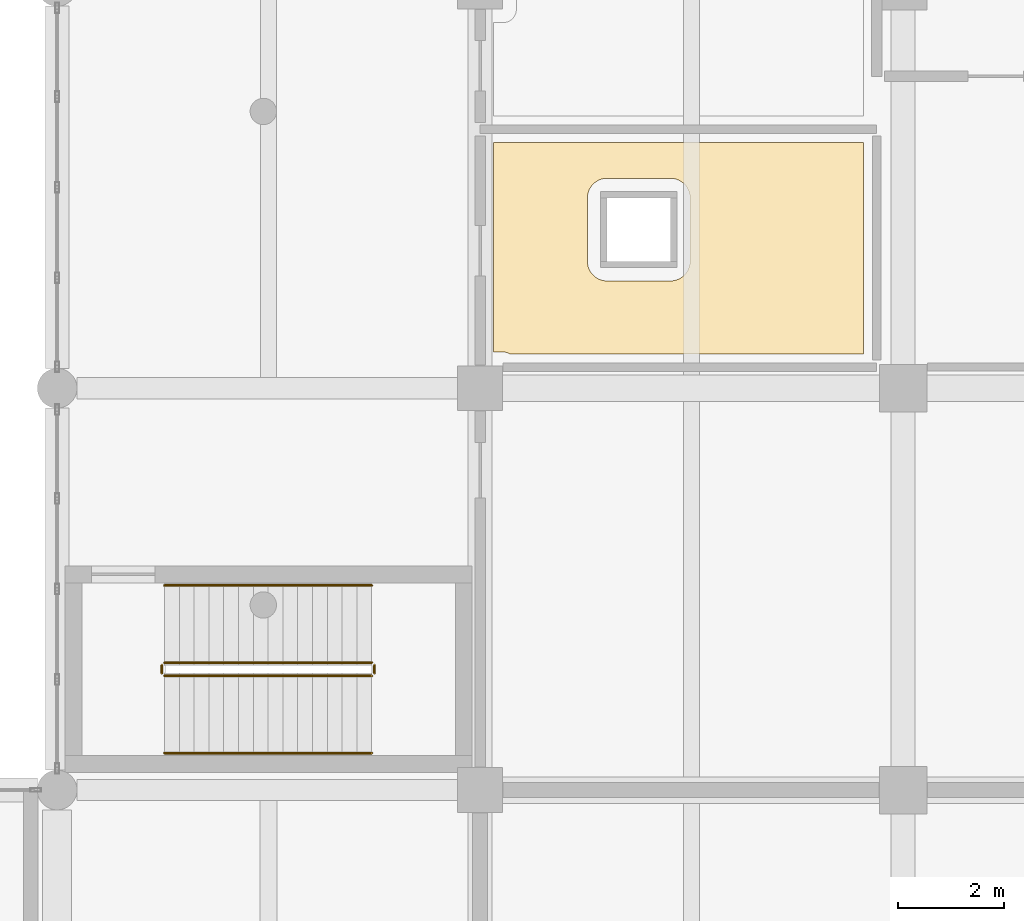
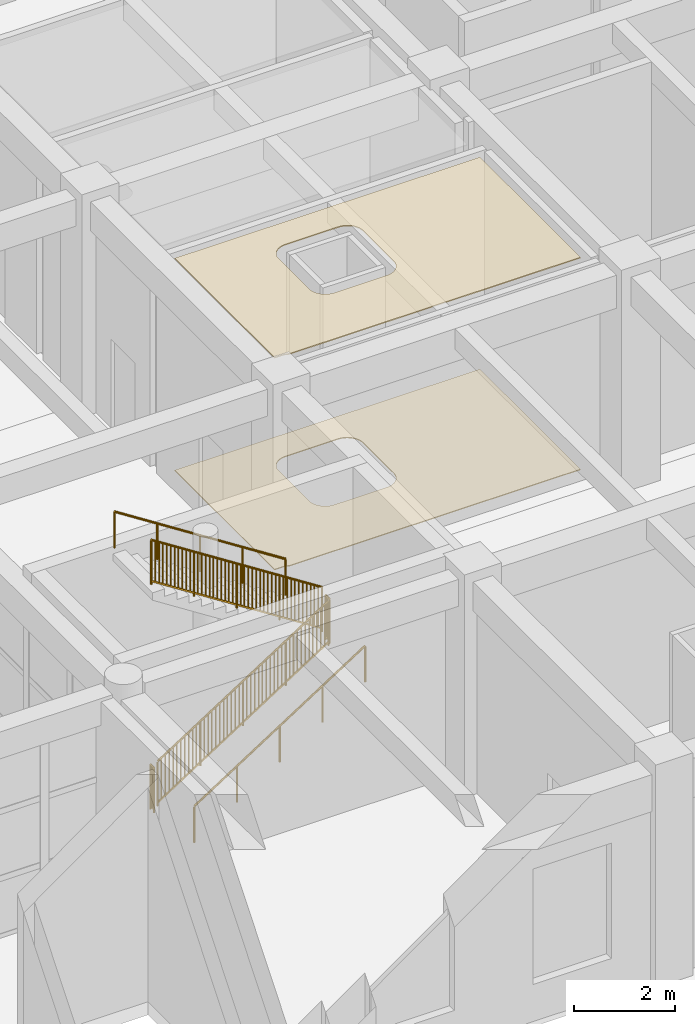
# One storey, part 87 of 95: 6 railings, 2 coverings.
"""IFC4 building model written with IfcOpenShell, lengths in metres."""

from ifc_helpers import new_model, si_unit, direction, frame, origin, origin_2d, place, context, subcontext, project, spatial, polyline, rectangle, circle, outline, extrude, material, layer, layer_set, type_object, element, save


model = new_model("IFC4")

# Units and contexts
model_context = context("Model", 3, precision=1e-05, world=origin(), true_north=direction((0.0, 1.0)))
body_context = subcontext(model_context, "Body", "Model", "MODEL_VIEW")
ifc_project = project(units=[si_unit("LENGTHUNIT", "METRE"), si_unit("AREAUNIT", "SQUARE_METRE"), si_unit("VOLUMEUNIT", "CUBIC_METRE"), si_unit("PLANEANGLEUNIT", "RADIAN"), si_unit("MASSUNIT", "GRAM", prefix="KILO")], contexts=[model_context])

# Site, building, storey
site_placement = place(None, origin())
site = spatial("IfcSite", under=ifc_project, at=site_placement, CompositionType="ELEMENT")
building_placement = place(site_placement, origin())
building = spatial("IfcBuilding", under=site, at=building_placement, Name="Zantavel Square City Hall", CompositionType="ELEMENT")
storey_placement = place(building_placement, origin())
storey = spatial("IfcBuildingStorey", under=building, at=storey_placement, Name="L01", CompositionType="ELEMENT", Elevation=0.0)

# Railings
ifc_material_1 = material(Name="Steel ASTM A500 Grade B", Category="steel")
railing_type_1 = type_object("IfcRailingType", Name="Atrium & Gallery Steel Guard Railing 1100mm", PredefinedType="GUARDRAIL", material=ifc_material_1)
railing_1_placement = place(storey_placement, frame((50.030029296875, 40.159912109375, 0.179931640625)))
element("IfcRailing", 1, at=railing_1_placement, inside=storey, type_object=railing_type_1, Name="L01 ST3 stair guard 1", PredefinedType="GUARDRAIL", context=body_context, shape_type="SweptSolid", body=[
    extrude(circle(Radius=0.02392578125, at=origin_2d()), frame((0.0, 0.0, 1.076171875), z_axis=(0.841171666519, 0.0, 0.540768182723), x_axis=(0.0, 1.0, 0.0)), (0.0, 0.0, 1.0), 4.66015625),
    extrude(rectangle(XDim=0.031982421875, YDim=0.031982421875, at=origin_2d()), frame((0.0, 0.0, 0.080078125), z_axis=(0.841171666519, 0.0, 0.540768182723), x_axis=(0.0, 1.0, 0.0)), (0.0, 0.0, 1.0), 4.66015625),
    extrude(rectangle(XDim=0.02197265625, YDim=0.02197265625, at=origin_2d()), frame((0.089111328125, 0.0, 0.13720703125)), (0.0, 0.0, 1.0), 0.971923828125),
    extrude(rectangle(XDim=0.02197265625, YDim=0.02197265625, at=origin_2d()), frame((0.17822265625, 0.0, 0.194580078125)), (0.0, 0.0, 1.0), 0.971923828125),
    extrude(rectangle(XDim=0.02197265625, YDim=0.02197265625, at=origin_2d()), frame((0.267333984375, 0.0, 0.251708984375)), (0.0, 0.0, 1.0), 0.971923828125),
    extrude(rectangle(XDim=0.02197265625, YDim=0.02197265625, at=origin_2d()), frame((0.3564453125, 0.0, 0.30908203125)), (0.0, 0.0, 1.0), 0.971923828125),
    extrude(rectangle(XDim=0.02197265625, YDim=0.02197265625, at=origin_2d()), frame((0.445556640625, 0.0, 0.366455078125)), (0.0, 0.0, 1.0), 0.971923828125),
    extrude(rectangle(XDim=0.02197265625, YDim=0.02197265625, at=origin_2d()), frame((0.534423828125, 0.0, 0.423583984375)), (0.0, 0.0, 1.0), 0.971923828125),
    extrude(rectangle(XDim=0.02197265625, YDim=0.02197265625, at=origin_2d()), frame((0.62353515625, 0.0, 0.48095703125)), (0.0, 0.0, 1.0), 0.971923828125),
    extrude(rectangle(XDim=0.02197265625, YDim=0.02197265625, at=origin_2d()), frame((0.712646484375, 0.0, 0.5380859375)), (0.0, 0.0, 1.0), 0.971923828125),
    extrude(rectangle(XDim=0.02197265625, YDim=0.02197265625, at=origin_2d()), frame((0.8017578125, 0.0, 0.595458984375)), (0.0, 0.0, 1.0), 0.971923828125),
    extrude(rectangle(XDim=0.02197265625, YDim=0.02197265625, at=origin_2d()), frame((0.890869140625, 0.0, 0.65283203125)), (0.0, 0.0, 1.0), 0.971923828125),
    extrude(rectangle(XDim=0.02197265625, YDim=0.02197265625, at=origin_2d()), frame((1.069091796875, 0.0, 0.767333984375)), (0.0, 0.0, 1.0), 0.971923828125),
    extrude(rectangle(XDim=0.02197265625, YDim=0.02197265625, at=origin_2d()), frame((1.158203125, 0.0, 0.824462890625)), (0.0, 0.0, 1.0), 0.971923828125),
    extrude(rectangle(XDim=0.02197265625, YDim=0.02197265625, at=origin_2d()), frame((1.247314453125, 0.0, 0.8818359375)), (0.0, 0.0, 1.0), 0.971923828125),
    extrude(rectangle(XDim=0.02197265625, YDim=0.02197265625, at=origin_2d()), frame((1.33642578125, 0.0, 0.939208984375)), (0.0, 0.0, 1.0), 0.971923828125),
    extrude(rectangle(XDim=0.02197265625, YDim=0.02197265625, at=origin_2d()), frame((1.425537109375, 0.0, 0.996337890625)), (0.0, 0.0, 1.0), 0.971923828125),
    extrude(rectangle(XDim=0.02197265625, YDim=0.02197265625, at=origin_2d()), frame((1.514404296875, 0.0, 1.0537109375)), (0.0, 0.0, 1.0), 0.971923828125),
    extrude(rectangle(XDim=0.02197265625, YDim=0.02197265625, at=origin_2d()), frame((1.603515625, 0.0, 1.11083984375)), (0.0, 0.0, 1.0), 0.971923828125),
    extrude(rectangle(XDim=0.02197265625, YDim=0.02197265625, at=origin_2d()), frame((1.692626953125, 0.0, 1.168212890625)), (0.0, 0.0, 1.0), 0.971923828125),
    extrude(rectangle(XDim=0.02197265625, YDim=0.02197265625, at=origin_2d()), frame((1.78173828125, 0.0, 1.225341796875)), (0.0, 0.0, 1.0), 0.971923828125),
    extrude(rectangle(XDim=0.02197265625, YDim=0.02197265625, at=origin_2d()), frame((1.870849609375, 0.0, 1.28271484375)), (0.0, 0.0, 1.0), 0.971923828125),
    extrude(rectangle(XDim=0.02197265625, YDim=0.02197265625, at=origin_2d()), frame((2.049072265625, 0.0, 1.397216796875)), (0.0, 0.0, 1.0), 0.971923828125),
    extrude(rectangle(XDim=0.02197265625, YDim=0.02197265625, at=origin_2d()), frame((2.13818359375, 0.0, 1.45458984375)), (0.0, 0.0, 1.0), 0.971923828125),
    extrude(rectangle(XDim=0.02197265625, YDim=0.02197265625, at=origin_2d()), frame((2.227294921875, 0.0, 1.51171875)), (0.0, 0.0, 1.0), 0.971923828125),
    extrude(rectangle(XDim=0.02197265625, YDim=0.02197265625, at=origin_2d()), frame((2.31640625, 0.0, 1.569091796875)), (0.0, 0.0, 1.0), 0.971923828125),
    extrude(rectangle(XDim=0.02197265625, YDim=0.02197265625, at=origin_2d()), frame((2.405517578125, 0.0, 1.62646484375)), (0.0, 0.0, 1.0), 0.971923828125),
    extrude(rectangle(XDim=0.02197265625, YDim=0.02197265625, at=origin_2d()), frame((2.494384765625, 0.0, 1.68359375)), (0.0, 0.0, 1.0), 0.971923828125),
    extrude(rectangle(XDim=0.02197265625, YDim=0.02197265625, at=origin_2d()), frame((2.58349609375, 0.0, 1.740966796875)), (0.0, 0.0, 1.0), 0.971923828125),
    extrude(rectangle(XDim=0.02197265625, YDim=0.02197265625, at=origin_2d()), frame((2.672607421875, 0.0, 1.798095703125)), (0.0, 0.0, 1.0), 0.971923828125),
    extrude(rectangle(XDim=0.02197265625, YDim=0.02197265625, at=origin_2d()), frame((2.76171875, 0.0, 1.85546875)), (0.0, 0.0, 1.0), 0.971923828125),
    extrude(rectangle(XDim=0.02197265625, YDim=0.02197265625, at=origin_2d()), frame((2.850830078125, 0.0, 1.912841796875)), (0.0, 0.0, 1.0), 0.971923828125),
    extrude(rectangle(XDim=0.02197265625, YDim=0.02197265625, at=origin_2d()), frame((3.029052734375, 0.0, 2.02734375)), (0.0, 0.0, 1.0), 0.971923828125),
    extrude(rectangle(XDim=0.02197265625, YDim=0.02197265625, at=origin_2d()), frame((3.1181640625, 0.0, 2.08447265625)), (0.0, 0.0, 1.0), 0.971923828125),
    extrude(rectangle(XDim=0.02197265625, YDim=0.02197265625, at=origin_2d()), frame((3.207275390625, 0.0, 2.141845703125)), (0.0, 0.0, 1.0), 0.971923828125),
    extrude(rectangle(XDim=0.02197265625, YDim=0.02197265625, at=origin_2d()), frame((3.29638671875, 0.0, 2.19921875)), (0.0, 0.0, 1.0), 0.971923828125),
    extrude(rectangle(XDim=0.02197265625, YDim=0.02197265625, at=origin_2d()), frame((3.385498046875, 0.0, 2.25634765625)), (0.0, 0.0, 1.0), 0.971923828125),
    extrude(rectangle(XDim=0.02197265625, YDim=0.02197265625, at=origin_2d()), frame((3.474365234375, 0.0, 2.313720703125)), (0.0, 0.0, 1.0), 0.971923828125),
    extrude(rectangle(XDim=0.02197265625, YDim=0.02197265625, at=origin_2d()), frame((3.5634765625, 0.0, 2.370849609375)), (0.0, 0.0, 1.0), 0.971923828125),
    extrude(rectangle(XDim=0.02197265625, YDim=0.02197265625, at=origin_2d()), frame((3.652587890625, 0.0, 2.42822265625)), (0.0, 0.0, 1.0), 0.971923828125),
    extrude(rectangle(XDim=0.02197265625, YDim=0.02197265625, at=origin_2d()), frame((3.74169921875, 0.0, 2.4853515625)), (0.0, 0.0, 1.0), 0.971923828125),
    extrude(rectangle(XDim=0.02197265625, YDim=0.02197265625, at=origin_2d()), frame((3.830810546875, 0.0, 2.542724609375)), (0.0, 0.0, 1.0), 0.971923828125),
    extrude(circle(Radius=0.02099609375, at=origin_2d()), origin(), (0.0, 0.0, 1.0), 1.052001953125),
    extrude(circle(Radius=0.02099609375, at=origin_2d()), frame((0.97998046875, 0.0, 0.6298828125)), (0.0, 0.0, 1.0), 1.052001953125),
    extrude(circle(Radius=0.02099609375, at=origin_2d()), frame((1.9599609375, 0.0, 1.260009765625)), (0.0, 0.0, 1.0), 1.052001953125),
    extrude(circle(Radius=0.02099609375, at=origin_2d()), frame((2.93994140625, 0.0, 1.89013671875)), (0.0, 0.0, 1.0), 1.052001953125),
    extrude(circle(Radius=0.02099609375, at=origin_2d()), frame((3.919921875, 0.0, 2.52001953125)), (0.0, 0.0, 1.0), 1.052001953125),
])
railing_2_placement = place(storey_placement, frame((54.0, 40.2099609375, 2.699951171875)))
element("IfcRailing", 2, at=railing_2_placement, inside=storey, type_object=railing_type_1, Name="L01 ST3 stair guard 2", PredefinedType="GUARDRAIL", context=body_context, shape_type="SweptSolid", body=[
    extrude(circle(Radius=0.02392578125, at=origin_2d()), frame((0.0, 0.0, 1.076171875), z_axis=(0.0, 1.0, 0.0), x_axis=(-1.0, 0.0, 0.0)), (0.0, 0.0, 1.0), 0.150146484375),
    extrude(rectangle(XDim=0.031982421875, YDim=0.031982421875, at=origin_2d()), frame((0.0, 0.0, 0.080078125), z_axis=(0.0, 1.0, 0.0), x_axis=(-1.0, 0.0, 0.0)), (0.0, 0.0, 1.0), 0.150146484375),
    extrude(rectangle(XDim=0.02197265625, YDim=0.02197265625, at=origin_2d()), frame((0.0, 0.0751953125, 0.080078125)), (0.0, 0.0, 1.0), 0.971923828125),
    extrude(circle(Radius=0.02099609375, at=origin_2d()), origin(), (0.0, 0.0, 1.0), 1.052001953125),
    extrude(circle(Radius=0.02099609375, at=origin_2d()), frame((0.0, 0.150146484375, 0.0)), (0.0, 0.0, 1.0), 1.052001953125),
])
railing_3_placement = place(storey_placement, frame((53.949951171875, 40.409912109375, 2.8798828125)))
element("IfcRailing", 3, at=railing_3_placement, inside=storey, type_object=railing_type_1, Name="L01 ST3 stair guard 3", PredefinedType="GUARDRAIL", context=body_context, shape_type="SweptSolid", body=[
    extrude(circle(Radius=0.02392578125, at=origin_2d()), frame((0.0, 0.0, 1.076171875), z_axis=(-0.841171666519, 0.0, 0.540768182723), x_axis=(0.0, -1.0, 0.0)), (0.0, 0.0, 1.0), 4.66015625),
    extrude(rectangle(XDim=0.031982421875, YDim=0.031982421875, at=origin_2d()), frame((0.0, 0.0, 0.080078125), z_axis=(-0.841171666519, 0.0, 0.540768182723), x_axis=(0.0, -1.0, 0.0)), (0.0, 0.0, 1.0), 4.66015625),
    extrude(rectangle(XDim=0.02197265625, YDim=0.02197265625, at=origin_2d()), frame((-0.089111328125, 0.0, 0.13720703125)), (0.0, 0.0, 1.0), 0.971923828125),
    extrude(rectangle(XDim=0.02197265625, YDim=0.02197265625, at=origin_2d()), frame((-0.17822265625, 0.0, 0.194580078125)), (0.0, 0.0, 1.0), 0.971923828125),
    extrude(rectangle(XDim=0.02197265625, YDim=0.02197265625, at=origin_2d()), frame((-0.267333984375, 0.0, 0.251708984375)), (0.0, 0.0, 1.0), 0.971923828125),
    extrude(rectangle(XDim=0.02197265625, YDim=0.02197265625, at=origin_2d()), frame((-0.3564453125, 0.0, 0.30908203125)), (0.0, 0.0, 1.0), 0.971923828125),
    extrude(rectangle(XDim=0.02197265625, YDim=0.02197265625, at=origin_2d()), frame((-0.445556640625, 0.0, 0.366455078125)), (0.0, 0.0, 1.0), 0.971923828125),
    extrude(rectangle(XDim=0.02197265625, YDim=0.02197265625, at=origin_2d()), frame((-0.534423828125, 0.0, 0.423583984375)), (0.0, 0.0, 1.0), 0.971923828125),
    extrude(rectangle(XDim=0.02197265625, YDim=0.02197265625, at=origin_2d()), frame((-0.62353515625, 0.0, 0.48095703125)), (0.0, 0.0, 1.0), 0.971923828125),
    extrude(rectangle(XDim=0.02197265625, YDim=0.02197265625, at=origin_2d()), frame((-0.712646484375, 0.0, 0.5380859375)), (0.0, 0.0, 1.0), 0.971923828125),
    extrude(rectangle(XDim=0.02197265625, YDim=0.02197265625, at=origin_2d()), frame((-0.8017578125, 0.0, 0.595458984375)), (0.0, 0.0, 1.0), 0.971923828125),
    extrude(rectangle(XDim=0.02197265625, YDim=0.02197265625, at=origin_2d()), frame((-0.890869140625, 0.0, 0.65283203125)), (0.0, 0.0, 1.0), 0.971923828125),
    extrude(rectangle(XDim=0.02197265625, YDim=0.02197265625, at=origin_2d()), frame((-1.069091796875, 0.0, 0.767333984375)), (0.0, 0.0, 1.0), 0.971923828125),
    extrude(rectangle(XDim=0.02197265625, YDim=0.02197265625, at=origin_2d()), frame((-1.158203125, 0.0, 0.824462890625)), (0.0, 0.0, 1.0), 0.971923828125),
    extrude(rectangle(XDim=0.02197265625, YDim=0.02197265625, at=origin_2d()), frame((-1.247314453125, 0.0, 0.8818359375)), (0.0, 0.0, 1.0), 0.971923828125),
    extrude(rectangle(XDim=0.02197265625, YDim=0.02197265625, at=origin_2d()), frame((-1.33642578125, 0.0, 0.939208984375)), (0.0, 0.0, 1.0), 0.971923828125),
    extrude(rectangle(XDim=0.02197265625, YDim=0.02197265625, at=origin_2d()), frame((-1.425537109375, 0.0, 0.996337890625)), (0.0, 0.0, 1.0), 0.971923828125),
    extrude(rectangle(XDim=0.02197265625, YDim=0.02197265625, at=origin_2d()), frame((-1.514404296875, 0.0, 1.0537109375)), (0.0, 0.0, 1.0), 0.971923828125),
    extrude(rectangle(XDim=0.02197265625, YDim=0.02197265625, at=origin_2d()), frame((-1.603515625, 0.0, 1.11083984375)), (0.0, 0.0, 1.0), 0.971923828125),
    extrude(rectangle(XDim=0.02197265625, YDim=0.02197265625, at=origin_2d()), frame((-1.692626953125, 0.0, 1.168212890625)), (0.0, 0.0, 1.0), 0.971923828125),
    extrude(rectangle(XDim=0.02197265625, YDim=0.02197265625, at=origin_2d()), frame((-1.78173828125, 0.0, 1.225341796875)), (0.0, 0.0, 1.0), 0.971923828125),
    extrude(rectangle(XDim=0.02197265625, YDim=0.02197265625, at=origin_2d()), frame((-1.870849609375, 0.0, 1.28271484375)), (0.0, 0.0, 1.0), 0.971923828125),
    extrude(rectangle(XDim=0.02197265625, YDim=0.02197265625, at=origin_2d()), frame((-2.049072265625, 0.0, 1.397216796875)), (0.0, 0.0, 1.0), 0.971923828125),
    extrude(rectangle(XDim=0.02197265625, YDim=0.02197265625, at=origin_2d()), frame((-2.13818359375, 0.0, 1.45458984375)), (0.0, 0.0, 1.0), 0.971923828125),
    extrude(rectangle(XDim=0.02197265625, YDim=0.02197265625, at=origin_2d()), frame((-2.227294921875, 0.0, 1.51171875)), (0.0, 0.0, 1.0), 0.971923828125),
    extrude(rectangle(XDim=0.02197265625, YDim=0.02197265625, at=origin_2d()), frame((-2.31640625, 0.0, 1.569091796875)), (0.0, 0.0, 1.0), 0.971923828125),
    extrude(rectangle(XDim=0.02197265625, YDim=0.02197265625, at=origin_2d()), frame((-2.405517578125, 0.0, 1.62646484375)), (0.0, 0.0, 1.0), 0.971923828125),
    extrude(rectangle(XDim=0.02197265625, YDim=0.02197265625, at=origin_2d()), frame((-2.494384765625, 0.0, 1.68359375)), (0.0, 0.0, 1.0), 0.971923828125),
    extrude(rectangle(XDim=0.02197265625, YDim=0.02197265625, at=origin_2d()), frame((-2.58349609375, 0.0, 1.740966796875)), (0.0, 0.0, 1.0), 0.971923828125),
    extrude(rectangle(XDim=0.02197265625, YDim=0.02197265625, at=origin_2d()), frame((-2.672607421875, 0.0, 1.798095703125)), (0.0, 0.0, 1.0), 0.971923828125),
    extrude(rectangle(XDim=0.02197265625, YDim=0.02197265625, at=origin_2d()), frame((-2.76171875, 0.0, 1.85546875)), (0.0, 0.0, 1.0), 0.971923828125),
    extrude(rectangle(XDim=0.02197265625, YDim=0.02197265625, at=origin_2d()), frame((-2.850830078125, 0.0, 1.912841796875)), (0.0, 0.0, 1.0), 0.971923828125),
    extrude(rectangle(XDim=0.02197265625, YDim=0.02197265625, at=origin_2d()), frame((-3.029052734375, 0.0, 2.02734375)), (0.0, 0.0, 1.0), 0.971923828125),
    extrude(rectangle(XDim=0.02197265625, YDim=0.02197265625, at=origin_2d()), frame((-3.1181640625, 0.0, 2.08447265625)), (0.0, 0.0, 1.0), 0.971923828125),
    extrude(rectangle(XDim=0.02197265625, YDim=0.02197265625, at=origin_2d()), frame((-3.207275390625, 0.0, 2.141845703125)), (0.0, 0.0, 1.0), 0.971923828125),
    extrude(rectangle(XDim=0.02197265625, YDim=0.02197265625, at=origin_2d()), frame((-3.29638671875, 0.0, 2.19921875)), (0.0, 0.0, 1.0), 0.971923828125),
    extrude(rectangle(XDim=0.02197265625, YDim=0.02197265625, at=origin_2d()), frame((-3.385498046875, 0.0, 2.25634765625)), (0.0, 0.0, 1.0), 0.971923828125),
    extrude(rectangle(XDim=0.02197265625, YDim=0.02197265625, at=origin_2d()), frame((-3.474365234375, 0.0, 2.313720703125)), (0.0, 0.0, 1.0), 0.971923828125),
    extrude(rectangle(XDim=0.02197265625, YDim=0.02197265625, at=origin_2d()), frame((-3.5634765625, 0.0, 2.370849609375)), (0.0, 0.0, 1.0), 0.971923828125),
    extrude(rectangle(XDim=0.02197265625, YDim=0.02197265625, at=origin_2d()), frame((-3.652587890625, 0.0, 2.42822265625)), (0.0, 0.0, 1.0), 0.971923828125),
    extrude(rectangle(XDim=0.02197265625, YDim=0.02197265625, at=origin_2d()), frame((-3.74169921875, 0.0, 2.4853515625)), (0.0, 0.0, 1.0), 0.971923828125),
    extrude(rectangle(XDim=0.02197265625, YDim=0.02197265625, at=origin_2d()), frame((-3.830810546875, 0.0, 2.542724609375)), (0.0, 0.0, 1.0), 0.971923828125),
    extrude(circle(Radius=0.02099609375, at=origin_2d()), origin(), (0.0, 0.0, 1.0), 1.052001953125),
    extrude(circle(Radius=0.02099609375, at=origin_2d()), frame((-0.97998046875, 0.0, 0.6298828125)), (0.0, 0.0, 1.0), 1.052001953125),
    extrude(circle(Radius=0.02099609375, at=origin_2d()), frame((-1.9599609375, 0.0, 1.260009765625)), (0.0, 0.0, 1.0), 1.052001953125),
    extrude(circle(Radius=0.02099609375, at=origin_2d()), frame((-2.93994140625, 0.0, 1.89013671875)), (0.0, 0.0, 1.0), 1.052001953125),
    extrude(circle(Radius=0.02099609375, at=origin_2d()), frame((-3.919921875, 0.0, 2.52001953125)), (0.0, 0.0, 1.0), 1.052001953125),
])
railing_4_placement = place(storey_placement, frame((49.97998046875, 40.2099609375, 0.0)))
element("IfcRailing", 4, at=railing_4_placement, inside=storey, type_object=railing_type_1, Name="L01 ST3 stair guard 4", PredefinedType="GUARDRAIL", context=body_context, shape_type="SweptSolid", body=[
    extrude(circle(Radius=0.02392578125, at=origin_2d()), frame((0.0, 0.0, 1.076171875), z_axis=(0.0, 1.0, 0.0), x_axis=(-1.0, 0.0, 0.0)), (0.0, 0.0, 1.0), 0.150146484375),
    extrude(rectangle(XDim=0.031982421875, YDim=0.031982421875, at=origin_2d()), frame((0.0, 0.0, 0.080078125), z_axis=(0.0, 1.0, 0.0), x_axis=(-1.0, 0.0, 0.0)), (0.0, 0.0, 1.0), 0.150146484375),
    extrude(rectangle(XDim=0.02197265625, YDim=0.02197265625, at=origin_2d()), frame((0.0, 0.0751953125, 0.080078125)), (0.0, 0.0, 1.0), 0.971923828125),
    extrude(circle(Radius=0.02099609375, at=origin_2d()), origin(), (0.0, 0.0, 1.0), 1.052001953125),
    extrude(circle(Radius=0.02099609375, at=origin_2d()), frame((0.0, 0.150146484375, 0.0)), (0.0, 0.0, 1.0), 1.052001953125),
])

# Coverings
ifc_material_2 = material(Name="Terrazzo stone finish", Category="masonry")
ifc_layer_1 = layer(ifc_material_2, 0.02001953125, Name="Terrazzo stone finish")
ifc_layer_set_1 = layer_set([ifc_layer_1], Name="Terrazzo stone finish")
covering_type_1 = type_object("IfcCoveringType", Name="Honed Cantera-Terrazzo Civic Flooring 20mm", PredefinedType="FLOORING", material=ifc_layer_set_1)
covering_1_placement = place(storey_placement, origin())
element("IfcCovering", 5, at=covering_1_placement, inside=storey, type_object=covering_type_1, Name="L01 L01 West Mens Restroom Terrazzo Flooring", PredefinedType="FLOORING", context=body_context, shape_type="SweptSolid", body=[
    extrude(outline(polyline([(56.53076171875, 46.26611328125), (56.507568359375, 46.274169921875), (56.48388671875, 46.2802734375), (56.45947265625, 46.28369140625), (56.43505859375, 46.284912109375), (56.25, 46.284912109375), (56.25, 50.25), (63.25, 50.25), (63.25, 46.25), (56.56201171875, 46.25), (56.552734375, 46.255615234375), (56.53076171875, 46.26611328125)]), holes=[polyline([(58.031005859375, 47.97607421875), (58.033203125, 47.95166015625), (58.034912109375, 47.93994140625), (58.039794921875, 47.915771484375), (58.042724609375, 47.904296875), (58.0498046875, 47.880859375), (58.0537109375, 47.869873046875), (58.06298828125, 47.84716796875), (58.068115234375, 47.83642578125), (58.07958984375, 47.81494140625), (58.085693359375, 47.8046875), (58.099365234375, 47.784423828125), (58.1064453125, 47.77490234375), (58.1220703125, 47.756103515625), (58.1298828125, 47.747314453125), (58.147216796875, 47.72998046875), (58.156005859375, 47.721923828125), (58.1748046875, 47.706298828125), (58.184326171875, 47.699462890625), (58.204833984375, 47.685791015625), (58.21484375, 47.6796875), (58.236572265625, 47.668212890625), (58.247314453125, 47.6630859375), (58.27001953125, 47.65380859375), (58.281005859375, 47.64990234375), (58.304443359375, 47.642578125), (58.31591796875, 47.639892578125), (58.33984375, 47.635009765625), (58.3515625, 47.63330078125), (58.3759765625, 47.630859375), (58.3876953125, 47.63037109375), (58.39990234375, 47.6298828125), (59.60009765625, 47.6298828125), (59.6123046875, 47.63037109375), (59.6240234375, 47.630859375), (59.6484375, 47.63330078125), (59.66015625, 47.635009765625), (59.68408203125, 47.639892578125), (59.695556640625, 47.642578125), (59.718994140625, 47.64990234375), (59.72998046875, 47.65380859375), (59.752685546875, 47.6630859375), (59.763427734375, 47.668212890625), (59.78515625, 47.6796875), (59.795166015625, 47.685791015625), (59.815673828125, 47.699462890625), (59.8251953125, 47.706298828125), (59.843994140625, 47.721923828125), (59.852783203125, 47.72998046875), (59.8701171875, 47.747314453125), (59.8779296875, 47.756103515625), (59.8935546875, 47.77490234375), (59.900634765625, 47.784423828125), (59.914306640625, 47.8046875), (59.92041015625, 47.81494140625), (59.931884765625, 47.83642578125), (59.93701171875, 47.84716796875), (59.9462890625, 47.869873046875), (59.9501953125, 47.880859375), (59.957275390625, 47.904296875), (59.960205078125, 47.915771484375), (59.965087890625, 47.93994140625), (59.966796875, 47.95166015625), (59.968994140625, 47.97607421875), (59.9697265625, 47.98779296875), (59.969970703125, 48.0), (59.969970703125, 49.199951171875), (59.9697265625, 49.21240234375), (59.968994140625, 49.22412109375), (59.966796875, 49.248291015625), (59.965087890625, 49.260009765625), (59.960205078125, 49.2841796875), (59.957275390625, 49.295654296875), (59.9501953125, 49.319091796875), (59.9462890625, 49.330078125), (59.93701171875, 49.352783203125), (59.931884765625, 49.363525390625), (59.92041015625, 49.385009765625), (59.914306640625, 49.395263671875), (59.900634765625, 49.41552734375), (59.8935546875, 49.425048828125), (59.8779296875, 49.444091796875), (59.8701171875, 49.45263671875), (59.852783203125, 49.47021484375), (59.843994140625, 49.47802734375), (59.8251953125, 49.49365234375), (59.815673828125, 49.50048828125), (59.795166015625, 49.51416015625), (59.78515625, 49.520263671875), (59.763427734375, 49.53173828125), (59.752685546875, 49.536865234375), (59.72998046875, 49.54638671875), (59.718994140625, 49.55029296875), (59.695556640625, 49.557373046875), (59.68408203125, 49.560302734375), (59.66015625, 49.56494140625), (59.6484375, 49.566650390625), (59.6240234375, 49.569091796875), (59.6123046875, 49.569580078125), (59.60009765625, 49.570068359375), (58.39990234375, 49.570068359375), (58.3876953125, 49.569580078125), (58.3759765625, 49.569091796875), (58.3515625, 49.566650390625), (58.33984375, 49.56494140625), (58.31591796875, 49.560302734375), (58.304443359375, 49.557373046875), (58.281005859375, 49.55029296875), (58.27001953125, 49.54638671875), (58.247314453125, 49.536865234375), (58.236572265625, 49.53173828125), (58.21484375, 49.520263671875), (58.204833984375, 49.51416015625), (58.184326171875, 49.50048828125), (58.1748046875, 49.49365234375), (58.156005859375, 49.47802734375), (58.147216796875, 49.47021484375), (58.1298828125, 49.45263671875), (58.1220703125, 49.444091796875), (58.1064453125, 49.425048828125), (58.099365234375, 49.41552734375), (58.085693359375, 49.395263671875), (58.07958984375, 49.385009765625), (58.068115234375, 49.363525390625), (58.06298828125, 49.352783203125), (58.0537109375, 49.330078125), (58.0498046875, 49.319091796875), (58.042724609375, 49.295654296875), (58.039794921875, 49.2841796875), (58.034912109375, 49.260009765625), (58.033203125, 49.248291015625), (58.031005859375, 49.22412109375), (58.0302734375, 49.21240234375), (58.030029296875, 49.199951171875), (58.030029296875, 48.0), (58.0302734375, 47.98779296875), (58.031005859375, 47.97607421875)])]), origin(), (0.0, 0.0, 1.0), 0.02001953125),
])
ifc_material_3 = material(Name="Gypsum acoustic stud assembly", Category="masonry")
ifc_layer_2 = layer(ifc_material_3, 0.02490234375, Name="Gypsum acoustic stud assembly")
ifc_layer_set_2 = layer_set([ifc_layer_2], Name="Gypsum acoustic stud assembly")
covering_type_2 = type_object("IfcCoveringType", Name="Perforated Gypsum Acoustic Ceiling 25mm", PredefinedType="CEILING", material=ifc_layer_set_2)
covering_2_placement = place(storey_placement, frame((0.0, 0.0, 5.135009765625)))
element("IfcCovering", 6, at=covering_2_placement, inside=storey, type_object=covering_type_2, Name="L01 L01 West Mens Restroom Acoustic Ceiling", PredefinedType="CEILING", context=body_context, shape_type="SweptSolid", body=[
    extrude(outline(polyline([(56.53076171875, 46.26611328125), (56.507568359375, 46.274169921875), (56.48388671875, 46.2802734375), (56.45947265625, 46.28369140625), (56.43505859375, 46.284912109375), (56.25, 46.284912109375), (56.25, 50.25), (63.25, 50.25), (63.25, 46.25), (56.56201171875, 46.25), (56.552734375, 46.255615234375), (56.53076171875, 46.26611328125)]), holes=[polyline([(58.031005859375, 47.97607421875), (58.033203125, 47.95166015625), (58.034912109375, 47.93994140625), (58.039794921875, 47.915771484375), (58.042724609375, 47.904296875), (58.0498046875, 47.880859375), (58.0537109375, 47.869873046875), (58.06298828125, 47.84716796875), (58.068115234375, 47.83642578125), (58.07958984375, 47.81494140625), (58.085693359375, 47.8046875), (58.099365234375, 47.784423828125), (58.1064453125, 47.77490234375), (58.1220703125, 47.756103515625), (58.1298828125, 47.747314453125), (58.147216796875, 47.72998046875), (58.156005859375, 47.721923828125), (58.1748046875, 47.706298828125), (58.184326171875, 47.699462890625), (58.204833984375, 47.685791015625), (58.21484375, 47.6796875), (58.236572265625, 47.668212890625), (58.247314453125, 47.6630859375), (58.27001953125, 47.65380859375), (58.281005859375, 47.64990234375), (58.304443359375, 47.642578125), (58.31591796875, 47.639892578125), (58.33984375, 47.635009765625), (58.3515625, 47.63330078125), (58.3759765625, 47.630859375), (58.3876953125, 47.63037109375), (58.39990234375, 47.6298828125), (59.60009765625, 47.6298828125), (59.6123046875, 47.63037109375), (59.6240234375, 47.630859375), (59.6484375, 47.63330078125), (59.66015625, 47.635009765625), (59.68408203125, 47.639892578125), (59.695556640625, 47.642578125), (59.718994140625, 47.64990234375), (59.72998046875, 47.65380859375), (59.752685546875, 47.6630859375), (59.763427734375, 47.668212890625), (59.78515625, 47.6796875), (59.795166015625, 47.685791015625), (59.815673828125, 47.699462890625), (59.8251953125, 47.706298828125), (59.843994140625, 47.721923828125), (59.852783203125, 47.72998046875), (59.8701171875, 47.747314453125), (59.8779296875, 47.756103515625), (59.8935546875, 47.77490234375), (59.900634765625, 47.784423828125), (59.914306640625, 47.8046875), (59.92041015625, 47.81494140625), (59.931884765625, 47.83642578125), (59.93701171875, 47.84716796875), (59.9462890625, 47.869873046875), (59.9501953125, 47.880859375), (59.957275390625, 47.904296875), (59.960205078125, 47.915771484375), (59.965087890625, 47.93994140625), (59.966796875, 47.95166015625), (59.968994140625, 47.97607421875), (59.9697265625, 47.98779296875), (59.969970703125, 48.0), (59.969970703125, 49.199951171875), (59.9697265625, 49.21240234375), (59.968994140625, 49.22412109375), (59.966796875, 49.248291015625), (59.965087890625, 49.260009765625), (59.960205078125, 49.2841796875), (59.957275390625, 49.295654296875), (59.9501953125, 49.319091796875), (59.9462890625, 49.330078125), (59.93701171875, 49.352783203125), (59.931884765625, 49.363525390625), (59.92041015625, 49.385009765625), (59.914306640625, 49.395263671875), (59.900634765625, 49.41552734375), (59.8935546875, 49.425048828125), (59.8779296875, 49.444091796875), (59.8701171875, 49.45263671875), (59.852783203125, 49.47021484375), (59.843994140625, 49.47802734375), (59.8251953125, 49.49365234375), (59.815673828125, 49.50048828125), (59.795166015625, 49.51416015625), (59.78515625, 49.520263671875), (59.763427734375, 49.53173828125), (59.752685546875, 49.536865234375), (59.72998046875, 49.54638671875), (59.718994140625, 49.55029296875), (59.695556640625, 49.557373046875), (59.68408203125, 49.560302734375), (59.66015625, 49.56494140625), (59.6484375, 49.566650390625), (59.6240234375, 49.569091796875), (59.6123046875, 49.569580078125), (59.60009765625, 49.570068359375), (58.39990234375, 49.570068359375), (58.3876953125, 49.569580078125), (58.3759765625, 49.569091796875), (58.3515625, 49.566650390625), (58.33984375, 49.56494140625), (58.31591796875, 49.560302734375), (58.304443359375, 49.557373046875), (58.281005859375, 49.55029296875), (58.27001953125, 49.54638671875), (58.247314453125, 49.536865234375), (58.236572265625, 49.53173828125), (58.21484375, 49.520263671875), (58.204833984375, 49.51416015625), (58.184326171875, 49.50048828125), (58.1748046875, 49.49365234375), (58.156005859375, 49.47802734375), (58.147216796875, 49.47021484375), (58.1298828125, 49.45263671875), (58.1220703125, 49.444091796875), (58.1064453125, 49.425048828125), (58.099365234375, 49.41552734375), (58.085693359375, 49.395263671875), (58.07958984375, 49.385009765625), (58.068115234375, 49.363525390625), (58.06298828125, 49.352783203125), (58.0537109375, 49.330078125), (58.0498046875, 49.319091796875), (58.042724609375, 49.295654296875), (58.039794921875, 49.2841796875), (58.034912109375, 49.260009765625), (58.033203125, 49.248291015625), (58.031005859375, 49.22412109375), (58.0302734375, 49.21240234375), (58.030029296875, 49.199951171875), (58.030029296875, 48.0), (58.0302734375, 47.98779296875), (58.031005859375, 47.97607421875)])]), origin(), (0.0, 0.0, 1.0), 0.02490234375),
])

# Railings
ifc_material_4 = material(Name="Stainless steel 316", Category="steel")
railing_type_2 = type_object("IfcRailingType", Name="Stair Stainless Steel Handrail 900mm", PredefinedType="HANDRAIL", material=ifc_material_4)
railing_5_placement = place(storey_placement, frame((50.030029296875, 38.699951171875, 0.179931640625)))
element("IfcRailing", 7, at=railing_5_placement, inside=storey, type_object=railing_type_2, Name="L01 ST3 stair handrail 1", PredefinedType="HANDRAIL", context=body_context, shape_type="SweptSolid", body=[
    extrude(circle(Radius=0.02392578125, at=origin_2d()), frame((0.0, 0.0, 0.8759765625), z_axis=(0.841171666519, 0.0, 0.540768182723), x_axis=(0.0, 1.0, 0.0)), (0.0, 0.0, 1.0), 4.66015625),
    extrude(circle(Radius=0.02099609375, at=origin_2d()), origin(), (0.0, 0.0, 1.0), 0.851806640625),
    extrude(circle(Radius=0.02099609375, at=origin_2d()), frame((0.97998046875, 0.0, 0.6298828125)), (0.0, 0.0, 1.0), 0.851806640625),
    extrude(circle(Radius=0.02099609375, at=origin_2d()), frame((1.9599609375, 0.0, 1.260009765625)), (0.0, 0.0, 1.0), 0.851806640625),
    extrude(circle(Radius=0.02099609375, at=origin_2d()), frame((2.93994140625, 0.0, 1.89013671875)), (0.0, 0.0, 1.0), 0.851806640625),
    extrude(circle(Radius=0.02099609375, at=origin_2d()), frame((3.919921875, 0.0, 2.52001953125)), (0.0, 0.0, 1.0), 0.851806640625),
])
railing_6_placement = place(storey_placement, frame((53.949951171875, 41.8701171875, 2.8798828125)))
element("IfcRailing", 8, at=railing_6_placement, inside=storey, type_object=railing_type_2, Name="L01 ST3 stair handrail 2", PredefinedType="HANDRAIL", context=body_context, shape_type="SweptSolid", body=[
    extrude(circle(Radius=0.02392578125, at=origin_2d()), frame((0.0, 0.0, 0.8759765625), z_axis=(-0.841171666519, 0.0, 0.540768182723), x_axis=(0.0, -1.0, 0.0)), (0.0, 0.0, 1.0), 4.66015625),
    extrude(circle(Radius=0.02099609375, at=origin_2d()), origin(), (0.0, 0.0, 1.0), 0.851806640625),
    extrude(circle(Radius=0.02099609375, at=origin_2d()), frame((-0.97998046875, 0.0, 0.6298828125)), (0.0, 0.0, 1.0), 0.851806640625),
    extrude(circle(Radius=0.02099609375, at=origin_2d()), frame((-1.9599609375, 0.0, 1.260009765625)), (0.0, 0.0, 1.0), 0.851806640625),
    extrude(circle(Radius=0.02099609375, at=origin_2d()), frame((-2.93994140625, 0.0, 1.89013671875)), (0.0, 0.0, 1.0), 0.851806640625),
    extrude(circle(Radius=0.02099609375, at=origin_2d()), frame((-3.919921875, 0.0, 2.52001953125)), (0.0, 0.0, 1.0), 0.851806640625),
])

save(model, "model.ifc")
